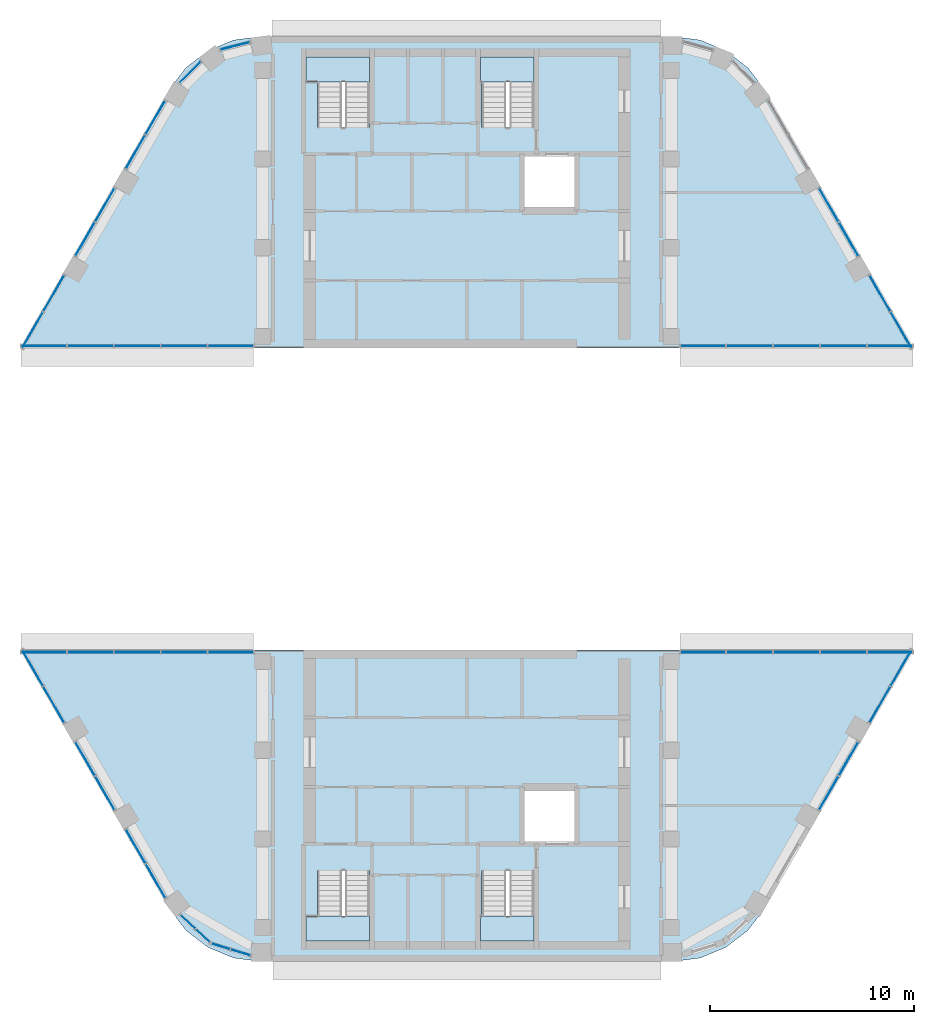
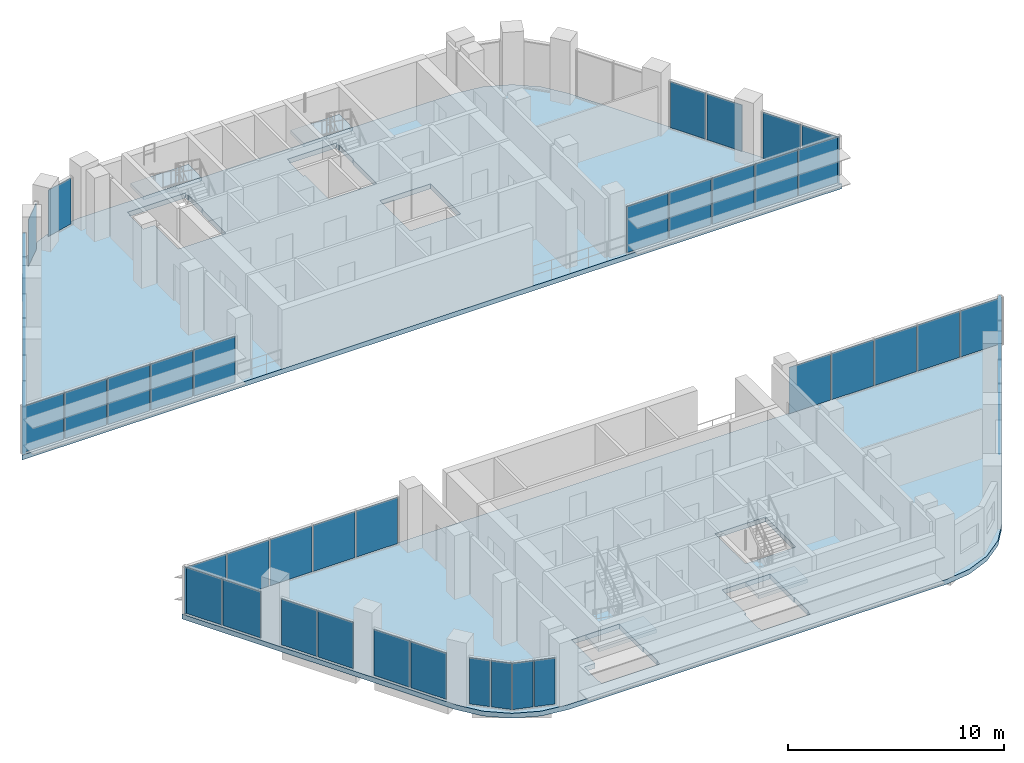
# One storey, part 7 of 14: 46 plates, 6 slabs, 22 elements without a shape of their own.
"""IFC4 building model written with IfcOpenShell, lengths in metres."""

import ifcopenshell
import ifcopenshell.guid

model = None  # the IFC model being written
_history = None  # IfcOwnerHistory: only IFC2X3 demands one
_inside = {}  # id of a spatial element -> (the spatial element, [elements in it])
_under = {}  # id of a project, library or spatial element -> (it, [spatial elements below it])
_declared = {}  # id of a project -> (the project, [libraries it declares])
_typed = {}  # id of a type object -> (the type object, [elements of that type])
_made_of = {}  # id of a material, layer set ... -> (it, [elements and type objects made of it])


def new_model(schema):
    """Start an empty IFC model of exactly this schema.

    Asked for "IFC4X3", IfcOpenShell would pick the latest addendum, in which some entities
    have other attributes; the version numbers below select the first issue.
    IFC2X3 requires an IfcOwnerHistory on every rooted entity: one is made here for all.
    """
    global model, _history
    if schema == "IFC4X3":
        model = ifcopenshell.file(schema_version=(4, 3, 0, 0))
    else:
        model = ifcopenshell.file(schema=schema)
    _inside.clear()
    _under.clear()
    _declared.clear()
    _typed.clear()
    _made_of.clear()
    _history = None
    if model.schema == "IFC2X3":
        org = make("IfcOrganization", Name="unknown")
        user = make(
            "IfcPersonAndOrganization",
            ThePerson=make("IfcPerson", FamilyName="unknown"),
            TheOrganization=org,
        )
        app = make(
            "IfcApplication",
            ApplicationDeveloper=org,
            Version="unknown",
            ApplicationFullName="unknown",
            ApplicationIdentifier="unknown",
        )
        _history = make(
            "IfcOwnerHistory",
            OwningUser=user,
            OwningApplication=app,
            ChangeAction="ADDED",
            CreationDate=0,
        )
    return model


def make(cls, **values):
    """One entity of the class cls with the attributes given. An attribute that is None is left unset."""
    return model.create_entity(
        cls, **{name: value for name, value in values.items() if value is not None}
    )


def rooted(cls, **values):
    """An entity with a GlobalId (a new one), such as an element, a storey or a relation."""
    return make(cls, GlobalId=ifcopenshell.guid.new(), OwnerHistory=_history, **values)


def si_unit(unit_type, name, prefix=None):
    """IfcSIUnit, for example si_unit("LENGTHUNIT", "METRE", prefix="MILLI")."""
    return make("IfcSIUnit", UnitType=unit_type, Prefix=prefix, Name=name)


def assignment(units):
    """IfcUnitAssignment: the units of a project."""
    return None if units is None else make("IfcUnitAssignment", Units=units)


def point(xyz):
    """IfcCartesianPoint."""
    return None if xyz is None else make("IfcCartesianPoint", Coordinates=xyz)


def direction(xyz):
    """IfcDirection."""
    return None if xyz is None else make("IfcDirection", DirectionRatios=xyz)


def frame(location, z_axis=None, x_axis=None):
    """IfcAxis2Placement3D, a coordinate frame: its origin and axes. An axis left out is left unset."""
    return make(
        "IfcAxis2Placement3D",
        Location=point(location),
        Axis=direction(z_axis),
        RefDirection=direction(x_axis),
    )


def frame_2d(location, x_axis=None):
    """IfcAxis2Placement2D, a coordinate frame in the plane: its origin and x axis."""
    return make(
        "IfcAxis2Placement2D", Location=point(location), RefDirection=direction(x_axis)
    )


def origin():
    """The frame at (0, 0, 0) with its axes left unset."""
    return frame((0.0, 0.0, 0.0))


def origin_2d():
    """The frame at (0, 0) in the plane with its x axis left unset."""
    return frame_2d((0.0, 0.0))


def place(relative_to, where):
    """IfcLocalPlacement: puts the frame where relative to a parent placement (None: the world)."""
    return make(
        "IfcLocalPlacement", PlacementRelTo=relative_to, RelativePlacement=where
    )


def context(
    kind, dimensions, precision=None, world=None, true_north=None, identifier=None
):
    """IfcGeometricRepresentationContext, for example the 3D "Model" context."""
    return make(
        "IfcGeometricRepresentationContext",
        ContextIdentifier=identifier,
        ContextType=kind,
        CoordinateSpaceDimension=dimensions,
        Precision=precision,
        WorldCoordinateSystem=world,
        TrueNorth=true_north,
    )


def subcontext(parent, identifier, kind, view, scale=None):
    """IfcGeometricRepresentationSubContext, for example "Body" below "Model"."""
    return make(
        "IfcGeometricRepresentationSubContext",
        ContextIdentifier=identifier,
        ContextType=kind,
        ParentContext=parent,
        TargetScale=scale,
        TargetView=view,
    )


def project(units=None, contexts=None):
    """IfcProject with its units and contexts."""
    return rooted(
        "IfcProject",
        Name="project",
        RepresentationContexts=contexts,
        UnitsInContext=assignment(units),
    )


def spatial(cls, under=None, at=None, **own):
    """A site, building, storey or space (cls), placed at a placement, below another one or the project."""
    s = rooted(cls, ObjectPlacement=at, **own)
    if under is not None:
        _under.setdefault(under.id(), (under, []))[1].append(s)
    return s


def polyline(points):
    """IfcPolyline through the points."""
    return make("IfcPolyline", Points=[point(p) for p in points])


def profile(cls, at=None, kind="AREA", **sizes):
    """A parametric profile (cls). Its sizes go by their IFC names, for example OverallWidth=200.0."""
    return make(cls, ProfileType=kind, Position=at, **sizes)


def rectangle(**sizes):
    """IfcRectangleProfileDef."""
    return profile("IfcRectangleProfileDef", **sizes)


def outline(outer, holes=None, kind="AREA"):
    """IfcArbitraryClosedProfileDef: a profile drawn as a closed curve; with holes, ...WithVoids."""
    if holes is None:
        return make("IfcArbitraryClosedProfileDef", ProfileType=kind, OuterCurve=outer)
    return make(
        "IfcArbitraryProfileDefWithVoids",
        ProfileType=kind,
        OuterCurve=outer,
        InnerCurves=holes,
    )


def extrude(swept, where, along, depth):
    """IfcExtrudedAreaSolid: the profile swept, set in the frame where, extruded along a direction by depth."""
    return make(
        "IfcExtrudedAreaSolid",
        SweptArea=swept,
        Position=where,
        ExtrudedDirection=direction(along),
        Depth=depth,
    )


def shape(context_of_items, identifier, shape_type, items):
    """IfcShapeRepresentation: the items that make up one representation, for example the "Body"."""
    return make(
        "IfcShapeRepresentation",
        ContextOfItems=context_of_items,
        RepresentationIdentifier=identifier,
        RepresentationType=shape_type,
        Items=items,
    )


def material(Name=None, Category=None):
    """IfcMaterial."""
    return make("IfcMaterial", Name=Name, Category=Category)


def layer(
    of_material, thickness, ventilated=None, Name=None, Category=None, Priority=None
):
    """IfcMaterialLayer: one layer of a wall or slab, of a material (None: an air gap)."""
    return make(
        "IfcMaterialLayer",
        Material=of_material,
        LayerThickness=thickness,
        IsVentilated=ventilated,
        Name=Name,
        Category=Category,
        Priority=Priority,
    )


def layer_set(layers, Name=None):
    """IfcMaterialLayerSet."""
    return make("IfcMaterialLayerSet", MaterialLayers=layers, LayerSetName=Name)


def made_of(thing, what):
    """Note that an element or type object is made of a material, layer set ...; save() writes the relation."""
    if what is not None:
        _made_of.setdefault(what.id(), (what, []))[1].append(thing)
    return thing


def type_object(cls, material=None, **own):
    """A type object (cls), such as IfcWallType, which elements share."""
    return made_of(rooted(cls, **own), material)


def element(
    cls,
    number,
    at=None,
    inside=None,
    cuts=None,
    type_object=None,
    material=None,
    context=None,
    identifier="Body",
    shape_type=None,
    held_by="IfcProductDefinitionShape",
    body=None,
    shapes=None,
    **own,
):
    """One element of the class cls, such as IfcWall. Its Tag is "e" and its number.

    at: its placement. inside: the storey or other place that contains it. cuts: it is an
    opening in that element (IfcRelVoidsElement). A single representation is given by context,
    identifier, shape_type and body (its items); several are given by shapes. held_by: the class
    of the entity that holds the representations. save() writes the other relations.
    """
    e = rooted(cls, Tag="e%d" % number, ObjectPlacement=at, **own)
    if body is not None:
        shapes = [shape(context, identifier, shape_type, body)]
    if shapes is not None:
        e.Representation = make(held_by, Representations=shapes)
    if inside is not None:
        _inside.setdefault(inside.id(), (inside, []))[1].append(e)
    if cuts is not None:
        rooted(
            "IfcRelVoidsElement", RelatingBuildingElement=cuts, RelatedOpeningElement=e
        )
    if type_object is not None:
        _typed.setdefault(type_object.id(), (type_object, []))[1].append(e)
    return made_of(e, material)


def aggregate(whole, parts):
    """IfcRelAggregates: a whole, such as a stair, and the parts it consists of."""
    return rooted("IfcRelAggregates", RelatingObject=whole, RelatedObjects=parts)


def save(model, path):
    """Write the relations noted so far, then the file.

    IfcRelAggregates (storeys below a building ...), IfcRelContainedInSpatialStructure (elements
    in a storey), IfcRelDefinesByType, IfcRelAssociatesMaterial and IfcRelDeclares: one each for
    every whole, place, type object, material and project.
    """
    for whole, parts in _under.values():
        aggregate(whole, parts)
    for where, things in _inside.values():
        rooted(
            "IfcRelContainedInSpatialStructure",
            RelatedElements=things,
            RelatingStructure=where,
        )
    for kind, things in _typed.values():
        rooted("IfcRelDefinesByType", RelatedObjects=things, RelatingType=kind)
    for what, things in _made_of.values():
        rooted("IfcRelAssociatesMaterial", RelatedObjects=things, RelatingMaterial=what)
    for by, libraries in _declared.values():
        rooted("IfcRelDeclares", RelatingContext=by, RelatedDefinitions=libraries)
    model.write(path)


model = new_model("IFC4")

# Units and contexts
model_context = context("Model", 3, precision=1e-05, world=origin(), true_north=direction((0.0, 1.0)))
body_context = subcontext(model_context, "Body", "Model", "MODEL_VIEW")
ifc_project = project(units=[si_unit("LENGTHUNIT", "METRE"), si_unit("AREAUNIT", "SQUARE_METRE"), si_unit("VOLUMEUNIT", "CUBIC_METRE"), si_unit("PLANEANGLEUNIT", "RADIAN"), si_unit("MASSUNIT", "GRAM", prefix="KILO")], contexts=[model_context])

# Site, building, storey
site_placement = place(None, origin())
site = spatial("IfcSite", under=ifc_project, at=site_placement, CompositionType="ELEMENT")
building_placement = place(site_placement, origin())
building = spatial("IfcBuilding", under=site, at=building_placement, Name="Nakaniwa Court", CompositionType="ELEMENT")
storey_placement = place(building_placement, frame((0.0, 0.0, 279.60009765625)))
storey = spatial("IfcBuildingStorey", under=building, at=storey_placement, Name="C03", CompositionType="ELEMENT", Elevation=279.60009765625)

# Slabs
ifc_material_1 = material(Name="Concrete C80/100", Category="concrete")
ifc_layer_1 = layer(ifc_material_1, 0.27490234375)
ifc_layer_set_1 = layer_set([ifc_layer_1], Name="Concrete C80/100")
slab_type_1 = type_object("IfcSlabType", Name="Concrete C80/100 post tensioned floor slab 275", PredefinedType="FLOOR", material=ifc_layer_set_1)
slab_1_placement = place(storey_placement, frame((0.0, 0.0, -0.275146484375)))
element("IfcSlab", 1, at=slab_1_placement, inside=storey, type_object=slab_type_1, Name="FLOOR SLAB", PredefinedType="FLOOR", context=body_context, shape_type="SweptSolid", body=[
    extrude(outline(polyline([(93.751708984375, 58.873046875), (94.578125, 59.949951171875), (101.881591796875, 72.60009765625), (58.118408203125, 72.60009765625), (65.421875, 59.949951171875), (66.248291015625, 58.873046875), (67.3251953125, 58.046630859375), (68.579345703125, 57.527099609375), (69.92529296875, 57.35009765625), (90.07470703125, 57.35009765625), (91.420654296875, 57.527099609375), (92.6748046875, 58.046630859375), (93.751708984375, 58.873046875)]), holes=[polyline([(75.22509765625, 58.31005859375), (75.264892578125, 58.31005859375), (75.264892578125, 59.614990234375), (75.22509765625, 59.614990234375), (75.22509765625, 61.81005859375), (72.675048828125, 61.81005859375), (72.675048828125, 59.614990234375), (72.0849609375, 59.614990234375), (72.0849609375, 58.31005859375), (72.125, 58.31005859375), (72.125, 58.074951171875), (75.22509765625, 58.074951171875), (75.22509765625, 58.31005859375)]), polyline([(83.27490234375, 58.31005859375), (83.31494140625, 58.31005859375), (83.31494140625, 59.614990234375), (83.27490234375, 59.614990234375), (83.27490234375, 61.81005859375), (80.72509765625, 61.81005859375), (80.72509765625, 59.614990234375), (80.635009765625, 59.614990234375), (80.635009765625, 58.31005859375), (80.675048828125, 58.31005859375), (80.675048828125, 58.074951171875), (83.27490234375, 58.074951171875), (83.27490234375, 58.31005859375)]), polyline([(82.699951171875, 63.10009765625), (85.39990234375, 63.10009765625), (85.39990234375, 65.89990234375), (82.699951171875, 65.89990234375), (82.699951171875, 63.10009765625)])]), origin(), (0.0, 0.0, 1.0), 0.275146484375),
])
slab_2_placement = place(storey_placement, frame((0.0, 0.0, -0.275146484375)))
element("IfcSlab", 2, at=slab_2_placement, inside=storey, type_object=slab_type_1, Name="FLOOR SLAB", PredefinedType="FLOOR", context=body_context, shape_type="SweptSolid", body=[
    extrude(outline(polyline([(66.248291015625, 101.126953125), (65.421875, 100.050048828125), (58.118408203125, 87.39990234375), (101.881591796875, 87.39990234375), (94.578125, 100.050048828125), (93.751708984375, 101.126953125), (92.6748046875, 101.953369140625), (91.420654296875, 102.472900390625), (90.07470703125, 102.64990234375), (69.92529296875, 102.64990234375), (68.579345703125, 102.472900390625), (67.3251953125, 101.953369140625), (66.248291015625, 101.126953125)]), holes=[polyline([(85.39990234375, 94.10009765625), (85.39990234375, 96.89990234375), (82.699951171875, 96.89990234375), (82.699951171875, 94.10009765625), (85.39990234375, 94.10009765625)]), polyline([(75.22509765625, 98.18994140625), (75.22509765625, 100.385009765625), (75.264892578125, 100.385009765625), (75.264892578125, 101.68994140625), (75.22509765625, 101.68994140625), (75.22509765625, 101.925048828125), (72.125, 101.925048828125), (72.125, 101.68994140625), (72.0849609375, 101.68994140625), (72.0849609375, 100.385009765625), (72.675048828125, 100.385009765625), (72.675048828125, 98.18994140625), (75.22509765625, 98.18994140625)]), polyline([(83.27490234375, 100.385009765625), (83.31494140625, 100.385009765625), (83.31494140625, 101.68994140625), (83.27490234375, 101.68994140625), (83.27490234375, 101.925048828125), (80.675048828125, 101.925048828125), (80.675048828125, 101.68994140625), (80.635009765625, 101.68994140625), (80.635009765625, 100.385009765625), (80.72509765625, 100.385009765625), (80.72509765625, 98.18994140625), (83.27490234375, 98.18994140625), (83.27490234375, 100.385009765625)])]), origin(), (0.0, 0.0, 1.0), 0.275146484375),
])

# Curtain wall, plates
ifc_material_2 = material(Name="Black anodised aluminium frame with dark low-E laminated double glazing", Category="aluminium")
ifc_layer_2 = layer(ifc_material_2, 0.199951171875)
ifc_layer_set_2 = layer_set([ifc_layer_2], Name="Black anodised aluminium frame with dark low-E laminated double glazing")
curtain_wall_type = type_object("IfcCurtainWallType", Name="Crown curtain wall", PredefinedType="NOTDEFINED", material=ifc_layer_set_2)
curtain_wall_1_placement = place(storey_placement, origin())
curtain_wall_1 = element("IfcCurtainWall", 3, at=curtain_wall_1_placement, inside=storey, type_object=curtain_wall_type, Name="C03 curtain wall CW4 01", PredefinedType="NOTDEFINED")
ifc_material_3 = material(Name="Dark toughened glass", Category="glass")
ifc_layer_3 = layer(ifc_material_3, 0.007, Name="Outer pane")
ifc_material_4 = material(Name="Argon filled cavity")
ifc_layer_4 = layer(ifc_material_4, 0.016, Name="Cavity")
ifc_material_5 = material(Name="Dark laminated safety glass", Category="glass")
ifc_layer_5 = layer(ifc_material_5, 0.007, Name="Inner pane")
ifc_layer_set_3 = layer_set([ifc_layer_3, ifc_layer_4, ifc_layer_5], Name="Dark low-E laminated double glazing")
plate_type = type_object("IfcPlateType", Name="Crown curtain wall glass panel", PredefinedType="CURTAIN_PANEL", material=ifc_layer_set_3)
plate_1_placement = place(storey_placement, frame((97.723388671875, 65.597900390625, 0.0546875), z_axis=(0.0, 0.0, 1.0), x_axis=(0.499986540445, 0.866033174523, 0.0)))
plate_1 = element("IfcPlate", 4, at=plate_1_placement, type_object=plate_type, Name="CW4 panel 1.1", PredefinedType="CURTAIN_PANEL", context=body_context, shape_type="SweptSolid", body=[
    extrude(rectangle(XDim=1.874755859375, YDim=0.030029296875, at=origin_2d()), origin(), (0.0, 0.0, 1.0), 2.614990234375),
])
plate_2_placement = place(storey_placement, frame((98.693359375, 67.27783203125, 0.0546875), z_axis=(0.0, 0.0, 1.0), x_axis=(0.499986540445, 0.866033174523, 0.0)))
plate_2 = element("IfcPlate", 5, at=plate_2_placement, type_object=plate_type, Name="CW4 panel 2.1", PredefinedType="CURTAIN_PANEL", context=body_context, shape_type="SweptSolid", body=[
    extrude(rectangle(XDim=1.874755859375, YDim=0.030029296875, at=origin_2d()), origin(), (0.0, 0.0, 1.0), 2.614990234375),
])
aggregate(curtain_wall_1, [plate_1, plate_2])

curtain_wall_2_placement = place(storey_placement, origin())
curtain_wall_2 = element("IfcCurtainWall", 6, at=curtain_wall_2_placement, inside=storey, type_object=curtain_wall_type, Name="C03 curtain wall CW4 02", PredefinedType="NOTDEFINED")
plate_3_placement = place(storey_placement, frame((100.224609375, 69.93017578125, 0.0546875), z_axis=(0.0, 0.0, 1.0), x_axis=(0.500007626024, 0.866021000852, 0.0)))
plate_3 = element("IfcPlate", 7, at=plate_3_placement, type_object=plate_type, Name="CW4 panel 1.1", PredefinedType="CURTAIN_PANEL", context=body_context, shape_type="SweptSolid", body=[
    extrude(rectangle(XDim=2.007080078125, YDim=0.030029296875, at=origin_2d()), origin(), (0.0, 0.0, 1.0), 2.614990234375),
])
plate_4_placement = place(storey_placement, frame((101.2607421875, 71.724609375, 0.0546875), z_axis=(0.0, 0.0, 1.0), x_axis=(0.500007626024, 0.866021000852, 0.0)))
plate_4 = element("IfcPlate", 8, at=plate_4_placement, type_object=plate_type, Name="CW4 panel 2.1", PredefinedType="CURTAIN_PANEL", context=body_context, shape_type="SweptSolid", body=[
    extrude(rectangle(XDim=2.007080078125, YDim=0.030029296875, at=origin_2d()), origin(), (0.0, 0.0, 1.0), 2.614990234375),
])
aggregate(curtain_wall_2, [plate_3, plate_4])

curtain_wall_3_placement = place(storey_placement, origin())
curtain_wall_3 = element("IfcCurtainWall", 9, at=curtain_wall_3_placement, inside=storey, type_object=curtain_wall_type, Name="C03 curtain wall CW4 03", PredefinedType="NOTDEFINED")
plate_5_placement = place(storey_placement, frame((100.716796875, 72.5, 0.0546875), z_axis=(0.0, 0.0, 1.0), x_axis=(-1.0, 0.0, 0.0)))
plate_5 = element("IfcPlate", 10, at=plate_5_placement, type_object=plate_type, Name="CW4 panel 1.1", PredefinedType="CURTAIN_PANEL", context=body_context, shape_type="SweptSolid", body=[
    extrude(rectangle(XDim=2.19970703125, YDim=0.030029296875, at=origin_2d()), origin(), (0.0, 0.0, 1.0), 2.614990234375),
])
plate_6_placement = place(storey_placement, frame((98.43603515625, 72.5, 0.0546875), z_axis=(0.0, 0.0, 1.0), x_axis=(-1.0, 0.0, 0.0)))
plate_6 = element("IfcPlate", 11, at=plate_6_placement, type_object=plate_type, Name="CW4 panel 2.1", PredefinedType="CURTAIN_PANEL", context=body_context, shape_type="SweptSolid", body=[
    extrude(rectangle(XDim=2.232177734375, YDim=0.030029296875, at=origin_2d()), origin(), (0.0, 0.0, 1.0), 2.614990234375),
])
plate_7_placement = place(storey_placement, frame((96.138916015625, 72.5, 0.0546875), z_axis=(0.0, 0.0, 1.0), x_axis=(-1.0, 0.0, 0.0)))
plate_7 = element("IfcPlate", 12, at=plate_7_placement, type_object=plate_type, Name="CW4 panel 3.1", PredefinedType="CURTAIN_PANEL", context=body_context, shape_type="SweptSolid", body=[
    extrude(rectangle(XDim=2.232177734375, YDim=0.030029296875, at=origin_2d()), origin(), (0.0, 0.0, 1.0), 2.614990234375),
])
plate_8_placement = place(storey_placement, frame((93.841796875, 72.5, 0.0546875), z_axis=(0.0, 0.0, 1.0), x_axis=(-1.0, 0.0, 0.0)))
plate_8 = element("IfcPlate", 13, at=plate_8_placement, type_object=plate_type, Name="CW4 panel 4.1", PredefinedType="CURTAIN_PANEL", context=body_context, shape_type="SweptSolid", body=[
    extrude(rectangle(XDim=2.232177734375, YDim=0.030029296875, at=origin_2d()), origin(), (0.0, 0.0, 1.0), 2.614990234375),
])
plate_9_placement = place(storey_placement, frame((91.560791015625, 72.5, 0.0546875), z_axis=(0.0, 0.0, 1.0), x_axis=(-1.0, 0.0, 0.0)))
plate_9 = element("IfcPlate", 14, at=plate_9_placement, type_object=plate_type, Name="CW4 panel 5.1", PredefinedType="CURTAIN_PANEL", context=body_context, shape_type="SweptSolid", body=[
    extrude(rectangle(XDim=2.19970703125, YDim=0.030029296875, at=origin_2d()), origin(), (0.0, 0.0, 1.0), 2.614990234375),
])
aggregate(curtain_wall_3, [plate_5, plate_6, plate_7, plate_8, plate_9])

curtain_wall_4_placement = place(storey_placement, origin())
curtain_wall_4 = element("IfcCurtainWall", 15, at=curtain_wall_4_placement, inside=storey, type_object=curtain_wall_type, Name="C03 curtain wall CW4 04", PredefinedType="NOTDEFINED")
plate_10_placement = place(storey_placement, frame((68.439208984375, 72.5, 0.0546875), z_axis=(0.0, 0.0, 1.0), x_axis=(-1.0, 0.0, 0.0)))
plate_10 = element("IfcPlate", 16, at=plate_10_placement, type_object=plate_type, Name="CW4 panel 1.1", PredefinedType="CURTAIN_PANEL", context=body_context, shape_type="SweptSolid", body=[
    extrude(rectangle(XDim=2.19970703125, YDim=0.030029296875, at=origin_2d()), origin(), (0.0, 0.0, 1.0), 2.614990234375),
])
plate_11_placement = place(storey_placement, frame((66.158203125, 72.5, 0.0546875), z_axis=(0.0, 0.0, 1.0), x_axis=(-1.0, 0.0, 0.0)))
plate_11 = element("IfcPlate", 17, at=plate_11_placement, type_object=plate_type, Name="CW4 panel 2.1", PredefinedType="CURTAIN_PANEL", context=body_context, shape_type="SweptSolid", body=[
    extrude(rectangle(XDim=2.232177734375, YDim=0.030029296875, at=origin_2d()), origin(), (0.0, 0.0, 1.0), 2.614990234375),
])
plate_12_placement = place(storey_placement, frame((63.861083984375, 72.5, 0.0546875), z_axis=(0.0, 0.0, 1.0), x_axis=(-1.0, 0.0, 0.0)))
plate_12 = element("IfcPlate", 18, at=plate_12_placement, type_object=plate_type, Name="CW4 panel 3.1", PredefinedType="CURTAIN_PANEL", context=body_context, shape_type="SweptSolid", body=[
    extrude(rectangle(XDim=2.232177734375, YDim=0.030029296875, at=origin_2d()), origin(), (0.0, 0.0, 1.0), 2.614990234375),
])
plate_13_placement = place(storey_placement, frame((61.56396484375, 72.5, 0.0546875), z_axis=(0.0, 0.0, 1.0), x_axis=(-1.0, 0.0, 0.0)))
plate_13 = element("IfcPlate", 19, at=plate_13_placement, type_object=plate_type, Name="CW4 panel 4.1", PredefinedType="CURTAIN_PANEL", context=body_context, shape_type="SweptSolid", body=[
    extrude(rectangle(XDim=2.232177734375, YDim=0.030029296875, at=origin_2d()), origin(), (0.0, 0.0, 1.0), 2.614990234375),
])
plate_14_placement = place(storey_placement, frame((59.283203125, 72.5, 0.0546875), z_axis=(0.0, 0.0, 1.0), x_axis=(-1.0, 0.0, 0.0)))
plate_14 = element("IfcPlate", 20, at=plate_14_placement, type_object=plate_type, Name="CW4 panel 5.1", PredefinedType="CURTAIN_PANEL", context=body_context, shape_type="SweptSolid", body=[
    extrude(rectangle(XDim=2.19970703125, YDim=0.030029296875, at=origin_2d()), origin(), (0.0, 0.0, 1.0), 2.614990234375),
])
aggregate(curtain_wall_4, [plate_10, plate_11, plate_12, plate_13, plate_14])

curtain_wall_5_placement = place(storey_placement, origin())
curtain_wall_5 = element("IfcCurtainWall", 21, at=curtain_wall_5_placement, inside=storey, type_object=curtain_wall_type, Name="C03 curtain wall CW4 05", PredefinedType="NOTDEFINED")
plate_15_placement = place(storey_placement, frame((58.7392578125, 71.724609375, 0.0546875), z_axis=(0.0, 0.0, 1.0), x_axis=(0.500007626024, -0.866021000852, 0.0)))
plate_15 = element("IfcPlate", 22, at=plate_15_placement, type_object=plate_type, Name="CW4 panel 1.1", PredefinedType="CURTAIN_PANEL", context=body_context, shape_type="SweptSolid", body=[
    extrude(rectangle(XDim=2.007080078125, YDim=0.030029296875, at=origin_2d()), origin(), (0.0, 0.0, 1.0), 2.614990234375),
])
plate_16_placement = place(storey_placement, frame((59.775390625, 69.93017578125, 0.0546875), z_axis=(0.0, 0.0, 1.0), x_axis=(0.500007626024, -0.866021000852, 0.0)))
plate_16 = element("IfcPlate", 23, at=plate_16_placement, type_object=plate_type, Name="CW4 panel 2.1", PredefinedType="CURTAIN_PANEL", context=body_context, shape_type="SweptSolid", body=[
    extrude(rectangle(XDim=2.007080078125, YDim=0.030029296875, at=origin_2d()), origin(), (0.0, 0.0, 1.0), 2.614990234375),
])
aggregate(curtain_wall_5, [plate_15, plate_16])

curtain_wall_6_placement = place(storey_placement, origin())
curtain_wall_6 = element("IfcCurtainWall", 24, at=curtain_wall_6_placement, inside=storey, type_object=curtain_wall_type, Name="C03 curtain wall CW4 06", PredefinedType="NOTDEFINED")
plate_17_placement = place(storey_placement, frame((61.306640625, 67.27783203125, 0.0546875), z_axis=(0.0, 0.0, 1.0), x_axis=(0.499986540445, -0.866033174523, 0.0)))
plate_17 = element("IfcPlate", 25, at=plate_17_placement, type_object=plate_type, Name="CW4 panel 1.1", PredefinedType="CURTAIN_PANEL", context=body_context, shape_type="SweptSolid", body=[
    extrude(rectangle(XDim=1.874755859375, YDim=0.030029296875, at=origin_2d()), origin(), (0.0, 0.0, 1.0), 2.614990234375),
])
plate_18_placement = place(storey_placement, frame((62.276611328125, 65.597900390625, 0.0546875), z_axis=(0.0, 0.0, 1.0), x_axis=(0.499986540445, -0.866033174523, 0.0)))
plate_18 = element("IfcPlate", 26, at=plate_18_placement, type_object=plate_type, Name="CW4 panel 2.1", PredefinedType="CURTAIN_PANEL", context=body_context, shape_type="SweptSolid", body=[
    extrude(rectangle(XDim=1.874755859375, YDim=0.030029296875, at=origin_2d()), origin(), (0.0, 0.0, 1.0), 2.614990234375),
])
aggregate(curtain_wall_6, [plate_17, plate_18])

curtain_wall_7_placement = place(storey_placement, origin())
curtain_wall_7 = element("IfcCurtainWall", 27, at=curtain_wall_7_placement, inside=storey, type_object=curtain_wall_type, Name="C03 curtain wall CW4 07", PredefinedType="NOTDEFINED")
plate_19_placement = place(storey_placement, frame((63.779296875, 62.995361328125, 0.0546875), z_axis=(0.0, 0.0, 1.0), x_axis=(0.499995809815, -0.866027822975, 0.0)))
plate_19 = element("IfcPlate", 28, at=plate_19_placement, type_object=plate_type, Name="CW4 panel 1.1", PredefinedType="CURTAIN_PANEL", context=body_context, shape_type="SweptSolid", body=[
    extrude(rectangle(XDim=1.892333984375, YDim=0.030029296875, at=origin_2d()), origin(), (0.0, 0.0, 1.0), 2.614990234375),
])
plate_20_placement = place(storey_placement, frame((64.7578125, 61.30029296875, 0.0546875), z_axis=(0.0, 0.0, 1.0), x_axis=(0.499995809815, -0.866027822975, 0.0)))
plate_20 = element("IfcPlate", 29, at=plate_20_placement, type_object=plate_type, Name="CW4 panel 2.1", PredefinedType="CURTAIN_PANEL", context=body_context, shape_type="SweptSolid", body=[
    extrude(rectangle(XDim=1.892333984375, YDim=0.030029296875, at=origin_2d()), origin(), (0.0, 0.0, 1.0), 2.614990234375),
])
aggregate(curtain_wall_7, [plate_19, plate_20])

curtain_wall_8_placement = place(storey_placement, origin())
curtain_wall_8 = element("IfcCurtainWall", 30, at=curtain_wall_8_placement, inside=storey, type_object=curtain_wall_type, Name="C03 curtain wall CW4 08", PredefinedType="NOTDEFINED")
plate_21_placement = place(storey_placement, frame((66.3349609375, 59.296875, 0.0546875), z_axis=(0.0, 0.0, 1.0), x_axis=(0.729311166562, -0.684182155809, 0.0)))
plate_21 = element("IfcPlate", 31, at=plate_21_placement, type_object=plate_type, Name="CW4 panel 1.1", PredefinedType="CURTAIN_PANEL", context=body_context, shape_type="SweptSolid", body=[
    extrude(rectangle(XDim=0.965087890625, YDim=0.030029296875, at=origin_2d()), origin(), (0.0, 0.0, 1.0), 2.614990234375),
])
plate_22_placement = place(storey_placement, frame((67.086181640625, 58.592041015625, 0.0546875), z_axis=(0.0, 0.0, 1.0), x_axis=(0.729311166562, -0.684182155809, 0.0)))
plate_22 = element("IfcPlate", 32, at=plate_22_placement, type_object=plate_type, Name="CW4 panel 2.1", PredefinedType="CURTAIN_PANEL", context=body_context, shape_type="SweptSolid", body=[
    extrude(rectangle(XDim=0.965087890625, YDim=0.030029296875, at=origin_2d()), origin(), (0.0, 0.0, 1.0), 2.614990234375),
])
aggregate(curtain_wall_8, [plate_21, plate_22])

curtain_wall_9_placement = place(storey_placement, origin())
curtain_wall_9 = element("IfcCurtainWall", 33, at=curtain_wall_9_placement, inside=storey, type_object=curtain_wall_type, Name="C03 curtain wall CW4 09", PredefinedType="NOTDEFINED")
plate_23_placement = place(storey_placement, frame((67.920654296875, 58.10302734375, 0.0546875), z_axis=(0.0, 0.0, 1.0), x_axis=(0.955957155976, -0.293506245143, 0.0)))
plate_23 = element("IfcPlate", 34, at=plate_23_placement, type_object=plate_type, Name="CW4 panel 1.1", PredefinedType="CURTAIN_PANEL", context=body_context, shape_type="SweptSolid", body=[
    extrude(rectangle(XDim=0.9755859375, YDim=0.030029296875, at=origin_2d()), origin(), (0.0, 0.0, 1.0), 2.614990234375),
])
plate_24_placement = place(storey_placement, frame((68.915283203125, 57.797607421875, 0.0546875), z_axis=(0.0, 0.0, 1.0), x_axis=(0.955957155976, -0.293506245143, 0.0)))
plate_24 = element("IfcPlate", 35, at=plate_24_placement, type_object=plate_type, Name="CW4 panel 2.1", PredefinedType="CURTAIN_PANEL", context=body_context, shape_type="SweptSolid", body=[
    extrude(rectangle(XDim=0.9755859375, YDim=0.030029296875, at=origin_2d()), origin(), (0.0, 0.0, 1.0), 2.614990234375),
])
aggregate(curtain_wall_9, [plate_23, plate_24])

curtain_wall_10_placement = place(storey_placement, origin())
curtain_wall_10 = element("IfcCurtainWall", 36, at=curtain_wall_10_placement, inside=storey, type_object=curtain_wall_type, Name="C03 curtain wall CW4 13", PredefinedType="NOTDEFINED")
plate_25_placement = place(storey_placement, frame((64.74462890625, 98.677001953125, 0.0546875), z_axis=(0.0, 0.0, 1.0), x_axis=(-0.499986540445, -0.866033174523, 0.0)))
plate_25 = element("IfcPlate", 37, at=plate_25_placement, type_object=plate_type, Name="CW4 panel 1.1", PredefinedType="CURTAIN_PANEL", context=body_context, shape_type="SweptSolid", body=[
    extrude(rectangle(XDim=1.874755859375, YDim=0.030029296875, at=origin_2d()), origin(), (0.0, 0.0, 1.0), 2.614990234375),
])
plate_26_placement = place(storey_placement, frame((63.77490234375, 96.9970703125, 0.0546875), z_axis=(0.0, 0.0, 1.0), x_axis=(-0.499986540445, -0.866033174523, 0.0)))
plate_26 = element("IfcPlate", 38, at=plate_26_placement, type_object=plate_type, Name="CW4 panel 2.1", PredefinedType="CURTAIN_PANEL", context=body_context, shape_type="SweptSolid", body=[
    extrude(rectangle(XDim=1.874755859375, YDim=0.030029296875, at=origin_2d()), origin(), (0.0, 0.0, 1.0), 2.614990234375),
])
aggregate(curtain_wall_10, [plate_25, plate_26])

curtain_wall_11_placement = place(storey_placement, origin())
curtain_wall_11 = element("IfcCurtainWall", 39, at=curtain_wall_11_placement, inside=storey, type_object=curtain_wall_type, Name="C03 curtain wall CW4 14", PredefinedType="NOTDEFINED")
plate_27_placement = place(storey_placement, frame((62.276611328125, 94.402099609375, 0.0546875), z_axis=(0.0, 0.0, 1.0), x_axis=(-0.499986540445, -0.866033174523, 0.0)))
plate_27 = element("IfcPlate", 40, at=plate_27_placement, type_object=plate_type, Name="CW4 panel 1.1", PredefinedType="CURTAIN_PANEL", context=body_context, shape_type="SweptSolid", body=[
    extrude(rectangle(XDim=1.874755859375, YDim=0.030029296875, at=origin_2d()), origin(), (0.0, 0.0, 1.0), 2.614990234375),
])
plate_28_placement = place(storey_placement, frame((61.306640625, 92.72216796875, 0.0546875), z_axis=(0.0, 0.0, 1.0), x_axis=(-0.499986540445, -0.866033174523, 0.0)))
plate_28 = element("IfcPlate", 41, at=plate_28_placement, type_object=plate_type, Name="CW4 panel 2.1", PredefinedType="CURTAIN_PANEL", context=body_context, shape_type="SweptSolid", body=[
    extrude(rectangle(XDim=1.874755859375, YDim=0.030029296875, at=origin_2d()), origin(), (0.0, 0.0, 1.0), 2.614990234375),
])
aggregate(curtain_wall_11, [plate_27, plate_28])

curtain_wall_12_placement = place(storey_placement, origin())
curtain_wall_12 = element("IfcCurtainWall", 42, at=curtain_wall_12_placement, inside=storey, type_object=curtain_wall_type, Name="C03 curtain wall CW4 15", PredefinedType="NOTDEFINED")
plate_29_placement = place(storey_placement, frame((59.775390625, 90.06982421875, 0.0546875), z_axis=(0.0, 0.0, 1.0), x_axis=(-0.500007626024, -0.866021000852, 0.0)))
plate_29 = element("IfcPlate", 43, at=plate_29_placement, type_object=plate_type, Name="CW4 panel 1.1", PredefinedType="CURTAIN_PANEL", context=body_context, shape_type="SweptSolid", body=[
    extrude(rectangle(XDim=2.007080078125, YDim=0.030029296875, at=origin_2d()), origin(), (0.0, 0.0, 1.0), 2.614990234375),
])
plate_30_placement = place(storey_placement, frame((58.7392578125, 88.275390625, 0.0546875), z_axis=(0.0, 0.0, 1.0), x_axis=(-0.500007626024, -0.866021000852, 0.0)))
plate_30 = element("IfcPlate", 44, at=plate_30_placement, type_object=plate_type, Name="CW4 panel 2.1", PredefinedType="CURTAIN_PANEL", context=body_context, shape_type="SweptSolid", body=[
    extrude(rectangle(XDim=2.007080078125, YDim=0.030029296875, at=origin_2d()), origin(), (0.0, 0.0, 1.0), 2.614990234375),
])
aggregate(curtain_wall_12, [plate_29, plate_30])

curtain_wall_13_placement = place(storey_placement, origin())
curtain_wall_13 = element("IfcCurtainWall", 45, at=curtain_wall_13_placement, inside=storey, type_object=curtain_wall_type, Name="C03 curtain wall CW4 16", PredefinedType="NOTDEFINED")
plate_31_placement = place(storey_placement, frame((59.283203125, 87.5, 0.0546875), z_axis=(0.0, 0.0, 1.0), x_axis=(1.0, 0.0, 0.0)))
plate_31 = element("IfcPlate", 46, at=plate_31_placement, type_object=plate_type, Name="CW4 panel 1.1", PredefinedType="CURTAIN_PANEL", context=body_context, shape_type="SweptSolid", body=[
    extrude(rectangle(XDim=2.19970703125, YDim=0.030029296875, at=origin_2d()), origin(), (0.0, 0.0, 1.0), 2.614990234375),
])
plate_32_placement = place(storey_placement, frame((61.56396484375, 87.5, 0.0546875), z_axis=(0.0, 0.0, 1.0), x_axis=(1.0, 0.0, 0.0)))
plate_32 = element("IfcPlate", 47, at=plate_32_placement, type_object=plate_type, Name="CW4 panel 2.1", PredefinedType="CURTAIN_PANEL", context=body_context, shape_type="SweptSolid", body=[
    extrude(rectangle(XDim=2.232177734375, YDim=0.030029296875, at=origin_2d()), origin(), (0.0, 0.0, 1.0), 2.614990234375),
])
plate_33_placement = place(storey_placement, frame((63.861083984375, 87.5, 0.0546875), z_axis=(0.0, 0.0, 1.0), x_axis=(1.0, 0.0, 0.0)))
plate_33 = element("IfcPlate", 48, at=plate_33_placement, type_object=plate_type, Name="CW4 panel 3.1", PredefinedType="CURTAIN_PANEL", context=body_context, shape_type="SweptSolid", body=[
    extrude(rectangle(XDim=2.232177734375, YDim=0.030029296875, at=origin_2d()), origin(), (0.0, 0.0, 1.0), 2.614990234375),
])
plate_34_placement = place(storey_placement, frame((66.158203125, 87.5, 0.0546875), z_axis=(0.0, 0.0, 1.0), x_axis=(1.0, 0.0, 0.0)))
plate_34 = element("IfcPlate", 49, at=plate_34_placement, type_object=plate_type, Name="CW4 panel 4.1", PredefinedType="CURTAIN_PANEL", context=body_context, shape_type="SweptSolid", body=[
    extrude(rectangle(XDim=2.232177734375, YDim=0.030029296875, at=origin_2d()), origin(), (0.0, 0.0, 1.0), 2.614990234375),
])
plate_35_placement = place(storey_placement, frame((68.439208984375, 87.5, 0.0546875), z_axis=(0.0, 0.0, 1.0), x_axis=(1.0, 0.0, 0.0)))
plate_35 = element("IfcPlate", 50, at=plate_35_placement, type_object=plate_type, Name="CW4 panel 5.1", PredefinedType="CURTAIN_PANEL", context=body_context, shape_type="SweptSolid", body=[
    extrude(rectangle(XDim=2.19970703125, YDim=0.030029296875, at=origin_2d()), origin(), (0.0, 0.0, 1.0), 2.614990234375),
])
aggregate(curtain_wall_13, [plate_31, plate_32, plate_33, plate_34, plate_35])

curtain_wall_14_placement = place(storey_placement, origin())
curtain_wall_14 = element("IfcCurtainWall", 51, at=curtain_wall_14_placement, inside=storey, type_object=curtain_wall_type, Name="C03 curtain wall CW4 17", PredefinedType="NOTDEFINED")
plate_36_placement = place(storey_placement, frame((91.560791015625, 87.5, 0.0546875), z_axis=(0.0, 0.0, 1.0), x_axis=(1.0, 0.0, 0.0)))
plate_36 = element("IfcPlate", 52, at=plate_36_placement, type_object=plate_type, Name="CW4 panel 1.1", PredefinedType="CURTAIN_PANEL", context=body_context, shape_type="SweptSolid", body=[
    extrude(rectangle(XDim=2.19970703125, YDim=0.030029296875, at=origin_2d()), origin(), (0.0, 0.0, 1.0), 2.614990234375),
])
plate_37_placement = place(storey_placement, frame((93.841796875, 87.5, 0.0546875), z_axis=(0.0, 0.0, 1.0), x_axis=(1.0, 0.0, 0.0)))
plate_37 = element("IfcPlate", 53, at=plate_37_placement, type_object=plate_type, Name="CW4 panel 2.1", PredefinedType="CURTAIN_PANEL", context=body_context, shape_type="SweptSolid", body=[
    extrude(rectangle(XDim=2.232177734375, YDim=0.030029296875, at=origin_2d()), origin(), (0.0, 0.0, 1.0), 2.614990234375),
])
plate_38_placement = place(storey_placement, frame((96.138916015625, 87.5, 0.0546875), z_axis=(0.0, 0.0, 1.0), x_axis=(1.0, 0.0, 0.0)))
plate_38 = element("IfcPlate", 54, at=plate_38_placement, type_object=plate_type, Name="CW4 panel 3.1", PredefinedType="CURTAIN_PANEL", context=body_context, shape_type="SweptSolid", body=[
    extrude(rectangle(XDim=2.232177734375, YDim=0.030029296875, at=origin_2d()), origin(), (0.0, 0.0, 1.0), 2.614990234375),
])
plate_39_placement = place(storey_placement, frame((98.43603515625, 87.5, 0.0546875), z_axis=(0.0, 0.0, 1.0), x_axis=(1.0, 0.0, 0.0)))
plate_39 = element("IfcPlate", 55, at=plate_39_placement, type_object=plate_type, Name="CW4 panel 4.1", PredefinedType="CURTAIN_PANEL", context=body_context, shape_type="SweptSolid", body=[
    extrude(rectangle(XDim=2.232177734375, YDim=0.030029296875, at=origin_2d()), origin(), (0.0, 0.0, 1.0), 2.614990234375),
])
plate_40_placement = place(storey_placement, frame((100.716796875, 87.5, 0.0546875), z_axis=(0.0, 0.0, 1.0), x_axis=(1.0, 0.0, 0.0)))
plate_40 = element("IfcPlate", 56, at=plate_40_placement, type_object=plate_type, Name="CW4 panel 5.1", PredefinedType="CURTAIN_PANEL", context=body_context, shape_type="SweptSolid", body=[
    extrude(rectangle(XDim=2.19970703125, YDim=0.030029296875, at=origin_2d()), origin(), (0.0, 0.0, 1.0), 2.614990234375),
])
aggregate(curtain_wall_14, [plate_36, plate_37, plate_38, plate_39, plate_40])

curtain_wall_15_placement = place(storey_placement, origin())
curtain_wall_15 = element("IfcCurtainWall", 57, at=curtain_wall_15_placement, inside=storey, type_object=curtain_wall_type, Name="C03 curtain wall CW4 18", PredefinedType="NOTDEFINED")
plate_41_placement = place(storey_placement, frame((101.2607421875, 88.275390625, 0.0546875), z_axis=(0.0, 0.0, 1.0), x_axis=(-0.500007626024, 0.866021000852, 0.0)))
plate_41 = element("IfcPlate", 58, at=plate_41_placement, type_object=plate_type, Name="CW4 panel 1.1", PredefinedType="CURTAIN_PANEL", context=body_context, shape_type="SweptSolid", body=[
    extrude(rectangle(XDim=2.007080078125, YDim=0.030029296875, at=origin_2d()), origin(), (0.0, 0.0, 1.0), 2.614990234375),
])
plate_42_placement = place(storey_placement, frame((100.224609375, 90.06982421875, 0.0546875), z_axis=(0.0, 0.0, 1.0), x_axis=(-0.500007626024, 0.866021000852, 0.0)))
plate_42 = element("IfcPlate", 59, at=plate_42_placement, type_object=plate_type, Name="CW4 panel 2.1", PredefinedType="CURTAIN_PANEL", context=body_context, shape_type="SweptSolid", body=[
    extrude(rectangle(XDim=2.007080078125, YDim=0.030029296875, at=origin_2d()), origin(), (0.0, 0.0, 1.0), 2.614990234375),
])
aggregate(curtain_wall_15, [plate_41, plate_42])

curtain_wall_16_placement = place(storey_placement, origin())
curtain_wall_16 = element("IfcCurtainWall", 60, at=curtain_wall_16_placement, inside=storey, type_object=curtain_wall_type, Name="C03 curtain wall CW4 19", PredefinedType="NOTDEFINED")
plate_43_placement = place(storey_placement, frame((98.693359375, 92.72216796875, 0.0546875), z_axis=(0.0, 0.0, 1.0), x_axis=(-0.499986540445, 0.866033174523, 0.0)))
plate_43 = element("IfcPlate", 61, at=plate_43_placement, type_object=plate_type, Name="CW4 panel 1.1", PredefinedType="CURTAIN_PANEL", context=body_context, shape_type="SweptSolid", body=[
    extrude(rectangle(XDim=1.874755859375, YDim=0.030029296875, at=origin_2d()), origin(), (0.0, 0.0, 1.0), 2.614990234375),
])
plate_44_placement = place(storey_placement, frame((97.723388671875, 94.402099609375, 0.0546875), z_axis=(0.0, 0.0, 1.0), x_axis=(-0.499986540445, 0.866033174523, 0.0)))
plate_44 = element("IfcPlate", 62, at=plate_44_placement, type_object=plate_type, Name="CW4 panel 2.1", PredefinedType="CURTAIN_PANEL", context=body_context, shape_type="SweptSolid", body=[
    extrude(rectangle(XDim=1.874755859375, YDim=0.030029296875, at=origin_2d()), origin(), (0.0, 0.0, 1.0), 2.614990234375),
])
aggregate(curtain_wall_16, [plate_43, plate_44])

# Curtain wall, plate
curtain_wall_17_placement = place(storey_placement, origin())
curtain_wall_17 = element("IfcCurtainWall", 63, at=curtain_wall_17_placement, inside=storey, type_object=curtain_wall_type, Name="C03 curtain wall CW4 24", PredefinedType="NOTDEFINED")
plate_45_placement = place(storey_placement, frame((68.650390625, 102.18359375, 0.0546875), z_axis=(0.0, 0.0, 1.0), x_axis=(-0.968746424222, -0.248053150669, 0.0)))
plate_45 = element("IfcPlate", 64, at=plate_45_placement, type_object=plate_type, Name="CW4 panel 1.1", PredefinedType="CURTAIN_PANEL", context=body_context, shape_type="SweptSolid", body=[
    extrude(rectangle(XDim=1.468017578125, YDim=0.030029296875, at=origin_2d()), origin(), (0.0, 0.0, 1.0), 2.614990234375),
])
aggregate(curtain_wall_17, [plate_45])

curtain_wall_18_placement = place(storey_placement, origin())
curtain_wall_18 = element("IfcCurtainWall", 65, at=curtain_wall_18_placement, inside=storey, type_object=curtain_wall_type, Name="C03 curtain wall CW4 25", PredefinedType="NOTDEFINED")
plate_46_placement = place(storey_placement, frame((66.445068359375, 100.892333984375, 0.0546875), z_axis=(0.0, 0.0, 1.0), x_axis=(-0.708563227169, -0.705647329126, 0.0)))
plate_46 = element("IfcPlate", 66, at=plate_46_placement, type_object=plate_type, Name="CW4 panel 1.1", PredefinedType="CURTAIN_PANEL", context=body_context, shape_type="SweptSolid", body=[
    extrude(rectangle(XDim=1.447509765625, YDim=0.030029296875, at=origin_2d()), origin(), (0.0, 0.0, 1.0), 2.614990234375),
])
aggregate(curtain_wall_18, [plate_46])

# Stair, slab
stair_type = type_object("IfcStairType", Name="Dog leg stair 1200 wide 20 risers", PredefinedType="HALF_TURN_STAIR", material=ifc_material_1)
stair_1_placement = place(storey_placement, origin())
stair_1 = element("IfcStair", 67, at=stair_1_placement, inside=storey, type_object=stair_type, Name="C03 Stair ST1", PredefinedType="HALF_TURN_STAIR")
ifc_layer_6 = layer(ifc_material_1, 0.199951171875)
ifc_layer_set_4 = layer_set([ifc_layer_6], Name="Concrete C80/100")
slab_type_2 = type_object("IfcSlabType", Name="Stair landing concrete", PredefinedType="LANDING", material=ifc_layer_set_4)
slab_3_placement = place(storey_placement, frame((0.0, 0.0, 1.599853515625)))
slab_3 = element("IfcSlab", 68, at=slab_3_placement, type_object=slab_type_2, Name="ST1 landing 1", PredefinedType="LANDING", context=body_context, shape_type="SweptSolid", body=[
    extrude(outline(polyline([(75.22509765625, 100.425048828125), (75.22509765625, 101.64990234375), (72.125, 101.64990234375), (72.125, 100.425048828125), (75.22509765625, 100.425048828125)])), origin(), (0.0, 0.0, 1.0), 0.199951171875),
])
aggregate(stair_1, [slab_3])

stair_2_placement = place(storey_placement, origin())
stair_2 = element("IfcStair", 69, at=stair_2_placement, inside=storey, type_object=stair_type, Name="C03 Stair ST2", PredefinedType="HALF_TURN_STAIR")
slab_4_placement = place(storey_placement, frame((0.0, 0.0, 1.599853515625)))
slab_4 = element("IfcSlab", 70, at=slab_4_placement, type_object=slab_type_2, Name="ST2 landing 1", PredefinedType="LANDING", context=body_context, shape_type="SweptSolid", body=[
    extrude(outline(polyline([(83.27490234375, 100.425048828125), (83.27490234375, 101.64990234375), (80.675048828125, 101.64990234375), (80.675048828125, 100.425048828125), (83.27490234375, 100.425048828125)])), origin(), (0.0, 0.0, 1.0), 0.199951171875),
])
aggregate(stair_2, [slab_4])

stair_3_placement = place(storey_placement, origin())
stair_3 = element("IfcStair", 71, at=stair_3_placement, inside=storey, type_object=stair_type, Name="C03 Stair ST3", PredefinedType="HALF_TURN_STAIR")
slab_5_placement = place(storey_placement, frame((0.0, 0.0, 1.599853515625)))
slab_5 = element("IfcSlab", 72, at=slab_5_placement, type_object=slab_type_2, Name="ST3 landing 1", PredefinedType="LANDING", context=body_context, shape_type="SweptSolid", body=[
    extrude(outline(polyline([(75.22509765625, 58.35009765625), (75.22509765625, 59.574951171875), (72.125, 59.574951171875), (72.125, 58.35009765625), (75.22509765625, 58.35009765625)])), origin(), (0.0, 0.0, 1.0), 0.199951171875),
])
aggregate(stair_3, [slab_5])

stair_4_placement = place(storey_placement, origin())
stair_4 = element("IfcStair", 73, at=stair_4_placement, inside=storey, type_object=stair_type, Name="C03 Stair ST4", PredefinedType="HALF_TURN_STAIR")
slab_6_placement = place(storey_placement, frame((0.0, 0.0, 1.599853515625)))
slab_6 = element("IfcSlab", 74, at=slab_6_placement, type_object=slab_type_2, Name="ST4 landing 1", PredefinedType="LANDING", context=body_context, shape_type="SweptSolid", body=[
    extrude(outline(polyline([(83.27490234375, 58.35009765625), (83.27490234375, 59.574951171875), (80.675048828125, 59.574951171875), (80.675048828125, 58.35009765625), (83.27490234375, 58.35009765625)])), origin(), (0.0, 0.0, 1.0), 0.199951171875),
])
aggregate(stair_4, [slab_6])

save(model, "model.ifc")
